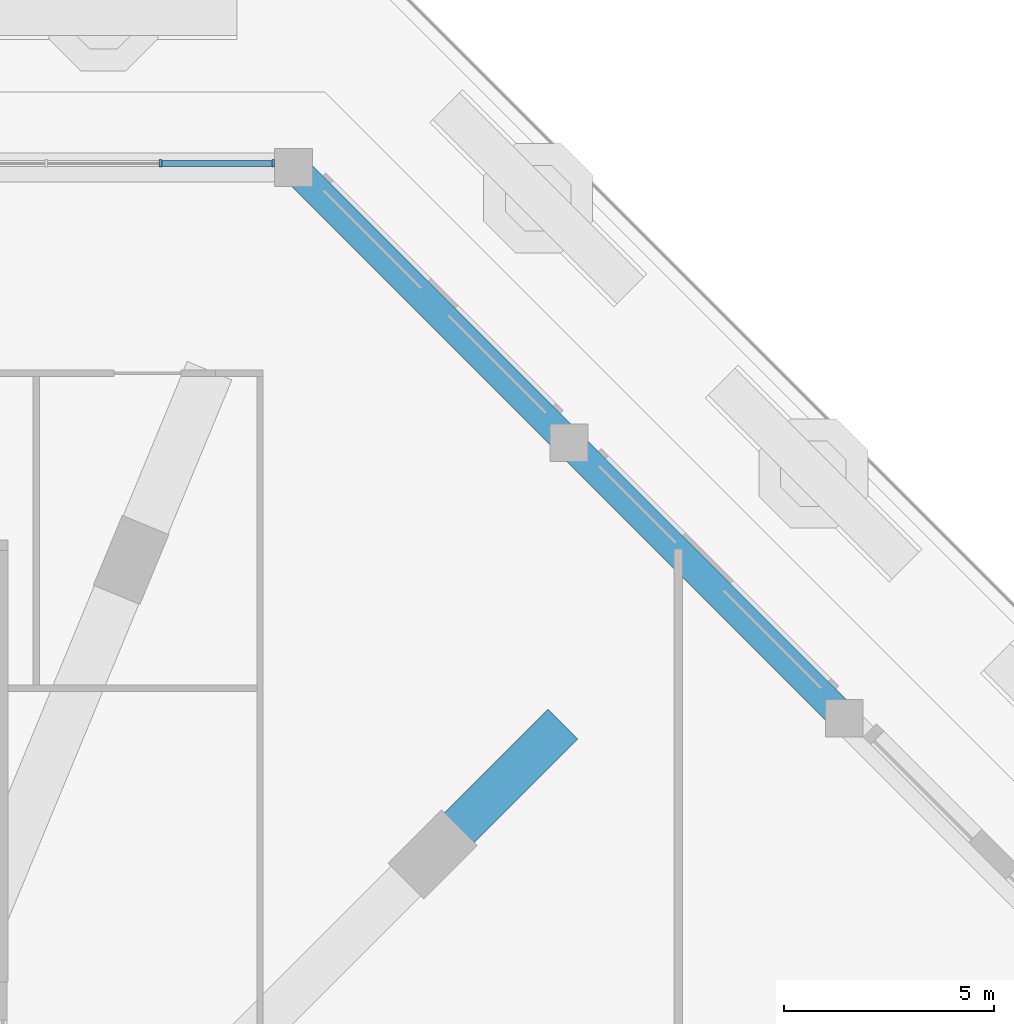
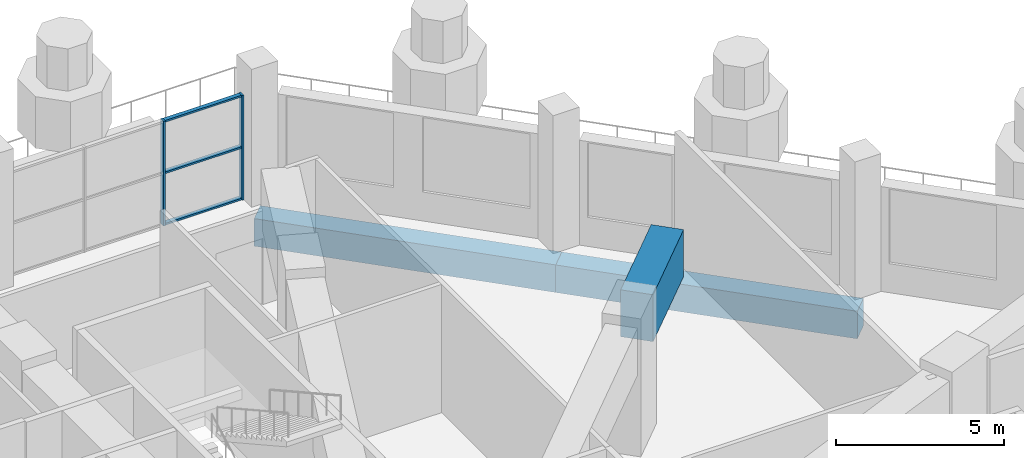
# One storey, part 11 of 25: 5 members, 3 beams, 1 element without a shape of its own.
"""IFC4 building model written with IfcOpenShell, lengths in metres."""

from ifc_helpers import new_model, si_unit, direction, frame, origin, origin_2d, place, context, subcontext, project, spatial, rectangle, extrude, material, material_profile, profile_set, type_object, element, aggregate, save


model = new_model("IFC4")

# Units and contexts
model_context = context("Model", 3, precision=1e-05, world=origin(), true_north=direction((0.0, 1.0)))
body_context = subcontext(model_context, "Body", "Model", "MODEL_VIEW")
ifc_project = project(units=[si_unit("LENGTHUNIT", "METRE"), si_unit("AREAUNIT", "SQUARE_METRE"), si_unit("VOLUMEUNIT", "CUBIC_METRE"), si_unit("PLANEANGLEUNIT", "RADIAN"), si_unit("MASSUNIT", "GRAM", prefix="KILO")], contexts=[model_context])

# Site, building, storey
site_placement = place(None, origin())
site = spatial("IfcSite", under=ifc_project, at=site_placement, CompositionType="ELEMENT")
building_placement = place(site_placement, origin())
building = spatial("IfcBuilding", under=site, at=building_placement, Name="Msitu Wima Residences", CompositionType="ELEMENT")
storey_placement = place(building_placement, frame((0.0, 0.0, 11.0)))
storey = spatial("IfcBuildingStorey", under=building, at=storey_placement, Name="L02", CompositionType="ELEMENT", Elevation=11.0)

# Curtain wall, members
ifc_material_1 = material(Name="Anodised aluminium, bronze finish, clear low-emissivity double glazing", Category="aluminium")
curtain_wall_type = type_object("IfcCurtainWallType", Name="Curtain wall CW6 podium winter garden", PredefinedType="NOTDEFINED", material=ifc_material_1)
curtain_wall_placement = place(storey_placement, origin())
curtain_wall = element("IfcCurtainWall", 1, at=curtain_wall_placement, inside=storey, type_object=curtain_wall_type, Name="Curtain wall CW6 L02 N0", PredefinedType="NOTDEFINED")
ifc_material_2 = material(Name="Anodised aluminium, bronze finish", Category="aluminium")
ifc_material_profile_1 = material_profile(ifc_material_2, rectangle(XDim=0.179931640625, YDim=0.06494140625, at=origin_2d()), Name="Mullion 65x180")
ifc_profile_set_1 = profile_set([ifc_material_profile_1], Name="Anodised aluminium, bronze finish")
member_type_1 = type_object("IfcMemberType", Name="Mullion CW6 65x180", PredefinedType="MULLION", material=ifc_profile_set_1)
member_1_placement = place(storey_placement, frame((17.6455078125, 37.89990234375, 0.0), z_axis=(0.0, 0.0, 1.0), x_axis=(0.0, -1.0, 0.0)))
member_1 = element("IfcMember", 2, at=member_1_placement, type_object=member_type_1, Name="CW6 mullion 1", PredefinedType="MULLION", context=body_context, shape_type="SweptSolid", body=[
    extrude(rectangle(XDim=0.179931640625, YDim=0.06494140625, at=origin_2d()), origin(), (0.0, 0.0, 1.0), 3.800048828125),
])
member_2_placement = place(storey_placement, frame((14.95654296875, 37.89990234375, 0.0), z_axis=(0.0, 0.0, 1.0), x_axis=(0.0, -1.0, 0.0)))
member_2 = element("IfcMember", 3, at=member_2_placement, type_object=member_type_1, Name="CW6 mullion 2", PredefinedType="MULLION", context=body_context, shape_type="SweptSolid", body=[
    extrude(rectangle(XDim=0.179931640625, YDim=0.06494140625, at=origin_2d()), origin(), (0.0, 0.0, 1.0), 3.800048828125),
])

# Beams
ifc_material_3 = material(Name="Concrete C60/75", Category="concrete")
ifc_material_profile_2 = material_profile(ifc_material_3, rectangle(XDim=1.0, YDim=1.699951171875, at=origin_2d()), Name="RC 1000x1700")
ifc_profile_set_2 = profile_set([ifc_material_profile_2], Name="Concrete C60/75")
beam_type_1 = type_object("IfcBeamType", Name="Podium cantilever girder tip RC 1000x1700 Concrete C60/75", PredefinedType="BEAM", material=ifc_profile_set_2)
beam_placement = place(storey_placement, frame((22.06884765625, 22.06884765625, 3.800048828125), z_axis=(0.707106781187, 0.707106781187, 0.0), x_axis=(-0.707106781187, 0.707106781187, 0.0)))
element("IfcBeam", 4, at=beam_placement, inside=storey, type_object=beam_type_1, Name="Podium cantilever girder L03 C-NE1 cantilever", PredefinedType="BEAM", context=body_context, shape_type="SweptSolid", body=[
    extrude(rectangle(XDim=1.0, YDim=1.699951171875, at=origin_2d()), origin(), (0.0, 0.0, 1.0), 3.4990234375),
])
ifc_material_profile_3 = material_profile(ifc_material_3, rectangle(XDim=0.699951171875, YDim=1.0, at=origin_2d()), Name="RC 700x1000")
ifc_profile_set_3 = profile_set([ifc_material_profile_3], Name="Concrete C60/75")
beam_type_2 = type_object("IfcBeamType", Name="Terrace beam RC 700x1000 Concrete C60/75", PredefinedType="BEAM", material=ifc_profile_set_3)
for number, where, z_axis, x_axis, name in (
    (5, (31.24267578125, 24.685302734375, -1.10009765625), (-0.707106781187, 0.707106781187, 0.0), (-0.707106781187, -0.707106781187, 0.0), "Terrace upstand-line beam L02 C-NE1"),
    (6, (24.685302734375, 31.24267578125, -1.10009765625), (-0.707106781187, 0.707106781187, 0.0), (-0.707106781187, -0.707106781187, 0.0), "Terrace upstand-line beam L02 C-NE2"),
):
    element("IfcBeam", number, at=place(storey_placement, frame(where, z_axis=z_axis, x_axis=x_axis)), inside=storey, type_object=beam_type_2, Name=name, PredefinedType="BEAM", context=body_context, shape_type="SweptSolid", body=[
        extrude(rectangle(XDim=0.699951171875, YDim=1.0, at=origin_2d()), origin(), (0.0, 0.0, 1.0), 9.2734375),
    ])

# Member
ifc_material_profile_4 = material_profile(ifc_material_2, rectangle(XDim=0.139892578125, YDim=0.06494140625, at=origin_2d()), Name="Transom 65x140")
ifc_profile_set_4 = profile_set([ifc_material_profile_4], Name="Anodised aluminium, bronze finish")
member_type_2 = type_object("IfcMemberType", Name="Transom CW6 65x140", PredefinedType="USERDEFINED", material=ifc_profile_set_4)
member_3_placement = place(storey_placement, frame((17.613037109375, 37.89990234375, 0.032470703125), z_axis=(-1.0, 0.0, 0.0), x_axis=(0.0, -1.0, 0.0)))
member_3 = element("IfcMember", 7, at=member_3_placement, type_object=member_type_2, Name="CW6 transom 1.1", ObjectType="TRANSOM", PredefinedType="USERDEFINED", context=body_context, shape_type="SweptSolid", body=[
    extrude(rectangle(XDim=0.139892578125, YDim=0.06494140625, at=origin_2d()), origin(), (0.0, 0.0, 1.0), 2.6240234375),
])

member_4_placement = place(storey_placement, frame((17.613037109375, 37.89990234375, 1.89990234375), z_axis=(-1.0, 0.0, 0.0), x_axis=(0.0, -1.0, 0.0)))
member_4 = element("IfcMember", 8, at=member_4_placement, type_object=member_type_2, Name="CW6 transom 1.2", ObjectType="TRANSOM", PredefinedType="USERDEFINED", context=body_context, shape_type="SweptSolid", body=[
    extrude(rectangle(XDim=0.139892578125, YDim=0.06494140625, at=origin_2d()), origin(), (0.0, 0.0, 1.0), 2.6240234375),
])

member_5_placement = place(storey_placement, frame((17.613037109375, 37.89990234375, 3.767578125), z_axis=(-1.0, 0.0, 0.0), x_axis=(0.0, -1.0, 0.0)))
member_5 = element("IfcMember", 9, at=member_5_placement, type_object=member_type_2, Name="CW6 transom 1.3", ObjectType="TRANSOM", PredefinedType="USERDEFINED", context=body_context, shape_type="SweptSolid", body=[
    extrude(rectangle(XDim=0.139892578125, YDim=0.06494140625, at=origin_2d()), origin(), (0.0, 0.0, 1.0), 2.6240234375),
])

aggregate(curtain_wall, [member_1, member_2, member_3, member_4, member_5])

save(model, "model.ifc")
